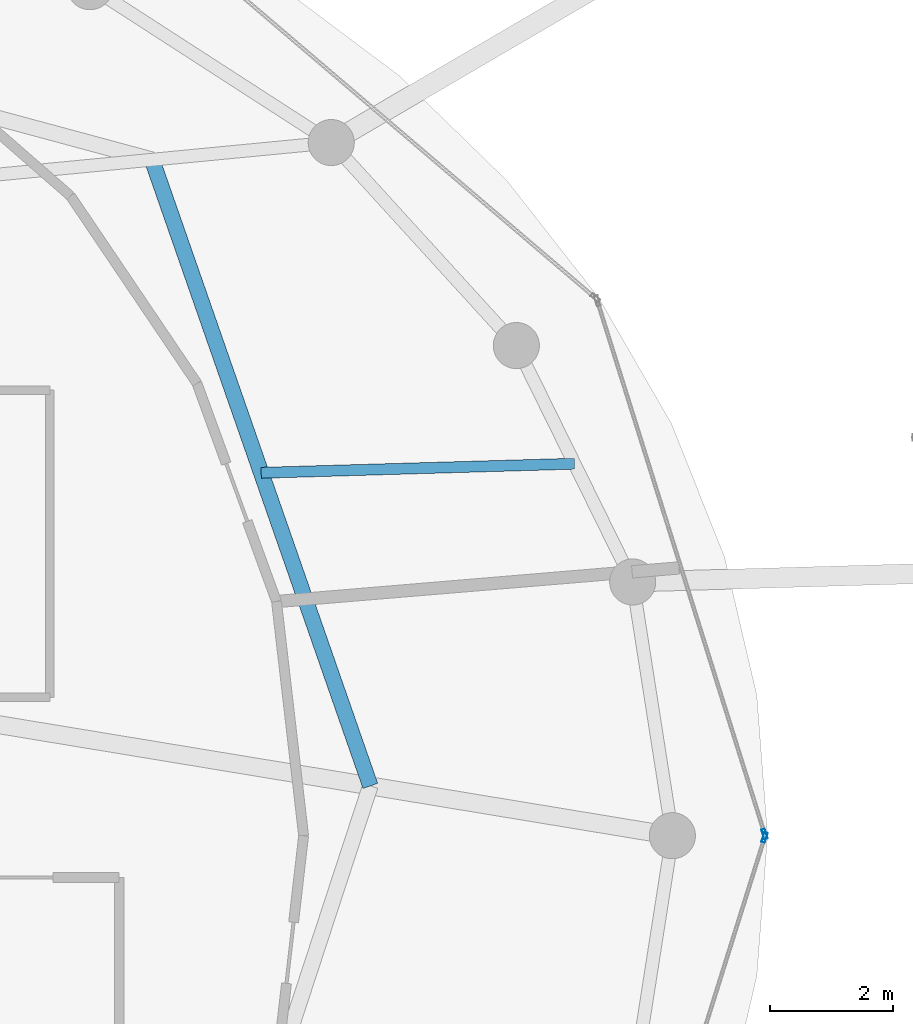
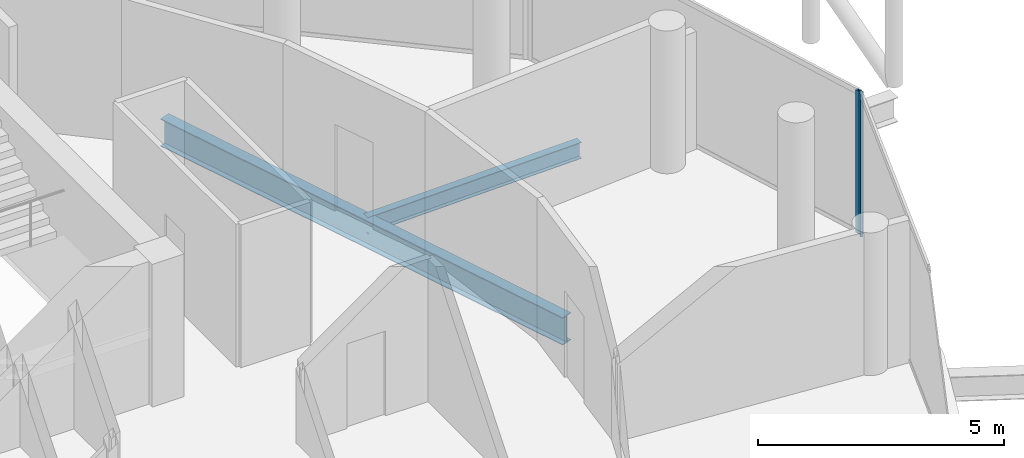
# One storey, part 12 of 24: 2 beams, 2 members, 2 elements without a shape of their own.
"""IFC4 building model written with IfcOpenShell, lengths in metres."""

from ifc_helpers import new_model, si_unit, direction, frame, origin, origin_2d, place, context, subcontext, project, spatial, hollow_rectangle, i_section, extrude, material, layer, layer_set, material_profile, profile_set, type_object, element, aggregate, save


model = new_model("IFC4")

# Units and contexts
model_context = context("Model", 3, precision=1e-05, world=origin(), true_north=direction((0.0, 1.0)))
body_context = subcontext(model_context, "Body", "Model", "MODEL_VIEW")
ifc_project = project(units=[si_unit("LENGTHUNIT", "METRE"), si_unit("AREAUNIT", "SQUARE_METRE"), si_unit("VOLUMEUNIT", "CUBIC_METRE"), si_unit("PLANEANGLEUNIT", "RADIAN"), si_unit("MASSUNIT", "GRAM", prefix="KILO")], contexts=[model_context])

# Site, building, storey
site_placement = place(None, origin())
site = spatial("IfcSite", under=ifc_project, at=site_placement, CompositionType="ELEMENT")
building_placement = place(site_placement, origin())
building = spatial("IfcBuilding", under=site, at=building_placement, Name="Nuhasar Tower", CompositionType="ELEMENT")
storey_placement = place(building_placement, frame((0.0, 0.0, 286.0)))
storey = spatial("IfcBuildingStorey", under=building, at=storey_placement, Name="L71", CompositionType="ELEMENT", Elevation=286.0)

# Beams
ifc_material_1 = material(Name="Steel S355", Category="steel")
ifc_material_profile_1 = material_profile(ifc_material_1, i_section(OverallWidth=0.25390625, OverallDepth=0.68408203125, WebThickness=0.012451171875, FlangeThickness=0.018798828125, at=origin_2d()), Name="W27X94")
ifc_profile_set_1 = profile_set([ifc_material_profile_1], Name="Steel S355")
beam_type_1 = type_object("IfcBeamType", Name="BM-INRING-W27X94", PredefinedType="BEAM", material=ifc_profile_set_1)
beam_1_placement = place(storey_placement, frame((53.035888671875, 27.610107421875, -0.60205078125), z_axis=(-0.329211236979, 0.944256300718, 0.0), x_axis=(-0.944256300718, -0.329211236979, 0.0)))
element("IfcBeam", 1, at=beam_1_placement, inside=storey, type_object=beam_type_1, Name="L71 Inner Header Beam 04", PredefinedType="BEAM", context=body_context, shape_type="SweptSolid", body=[
    extrude(i_section(OverallWidth=0.25390625, OverallDepth=0.68408203125, WebThickness=0.012451171875, FlangeThickness=0.018798828125, at=origin_2d()), origin(), (0.0, 0.0, 1.0), 10.78955078125),
])
ifc_material_profile_2 = material_profile(ifc_material_1, i_section(OverallWidth=0.177978515625, OverallDepth=0.406005859375, WebThickness=0.0078125, FlangeThickness=0.0126953125, at=origin_2d()), Name="W16X40")
ifc_profile_set_2 = profile_set([ifc_material_profile_2], Name="Steel S355")
beam_type_2 = type_object("IfcBeamType", Name="BM-JST-W16X40", PredefinedType="JOIST", material=ifc_profile_set_2)
beam_2_placement = place(storey_placement, frame((51.260009765625, 32.7041015625, -0.462890625), z_axis=(0.999579139243, 0.02900938453, 0.0), x_axis=(-0.02900938453, 0.999579139243, 0.0)))
element("IfcBeam", 2, at=beam_2_placement, inside=storey, type_object=beam_type_2, Name="L71 Secondary Floor Joist 04", PredefinedType="JOIST", context=body_context, shape_type="SweptSolid", body=[
    extrude(i_section(OverallWidth=0.177978515625, OverallDepth=0.406005859375, WebThickness=0.0078125, FlangeThickness=0.0126953125, at=origin_2d()), origin(), (0.0, 0.0, 1.0), 5.10009765625),
])

# Curtain wall, member
ifc_material_2 = material(Name="Aluminium 6063-T6", Category="aluminium")
ifc_layer = layer(ifc_material_2, 0.18994140625)
ifc_layer_set = layer_set([ifc_layer], Name="Aluminium 6063-T6")
curtain_wall_type = type_object("IfcCurtainWallType", Name="CW-Z4-PEN", PredefinedType="NOTDEFINED", material=ifc_layer_set)
curtain_wall_1_placement = place(storey_placement, origin())
curtain_wall_1 = element("IfcCurtainWall", 3, at=curtain_wall_1_placement, inside=storey, type_object=curtain_wall_type, Name="L71 Unitised Curtain Wall 01", PredefinedType="NOTDEFINED")
ifc_material_profile_3 = material_profile(ifc_material_2, hollow_rectangle(XDim=0.06005859375, YDim=0.1650390625, WallThickness=0.0048828125, at=origin_2d()), Name="CWM-5")
ifc_profile_set_3 = profile_set([ifc_material_profile_3], Name="Aluminium 6063-T6")
member_type = type_object("IfcMemberType", Name="CW-MUL-S5", PredefinedType="MULLION", material=ifc_profile_set_3)
member_1_placement = place(storey_placement, frame((59.450927734375, 26.82861328125, 0.0), z_axis=(0.0, 0.0, 1.0), x_axis=(-0.954078526601, -0.299556614146, 0.0)))
member_1 = element("IfcMember", 4, at=member_1_placement, type_object=member_type, Name="CW-Z4 mullion 1", PredefinedType="MULLION", context=body_context, shape_type="SweptSolid", body=[
    extrude(hollow_rectangle(XDim=0.06005859375, YDim=0.1650390625, WallThickness=0.0048828125, at=origin_2d()), origin(), (0.0, 0.0, 1.0), 3.5400390625),
])
aggregate(curtain_wall_1, [member_1])

curtain_wall_2_placement = place(storey_placement, origin())
curtain_wall_2 = element("IfcCurtainWall", 5, at=curtain_wall_2_placement, inside=storey, type_object=curtain_wall_type, Name="L71 Unitised Curtain Wall 12", PredefinedType="NOTDEFINED")
member_2_placement = place(storey_placement, frame((59.450927734375, 26.771484375, 0.0), z_axis=(0.0, 0.0, 1.0), x_axis=(-0.954078526601, 0.299556614146, 0.0)))
member_2 = element("IfcMember", 6, at=member_2_placement, type_object=member_type, Name="CW-Z4 mullion 2", PredefinedType="MULLION", context=body_context, shape_type="SweptSolid", body=[
    extrude(hollow_rectangle(XDim=0.06005859375, YDim=0.1650390625, WallThickness=0.0048828125, at=origin_2d()), origin(), (0.0, 0.0, 1.0), 3.5400390625),
])
aggregate(curtain_wall_2, [member_2])

save(model, "model.ifc")
